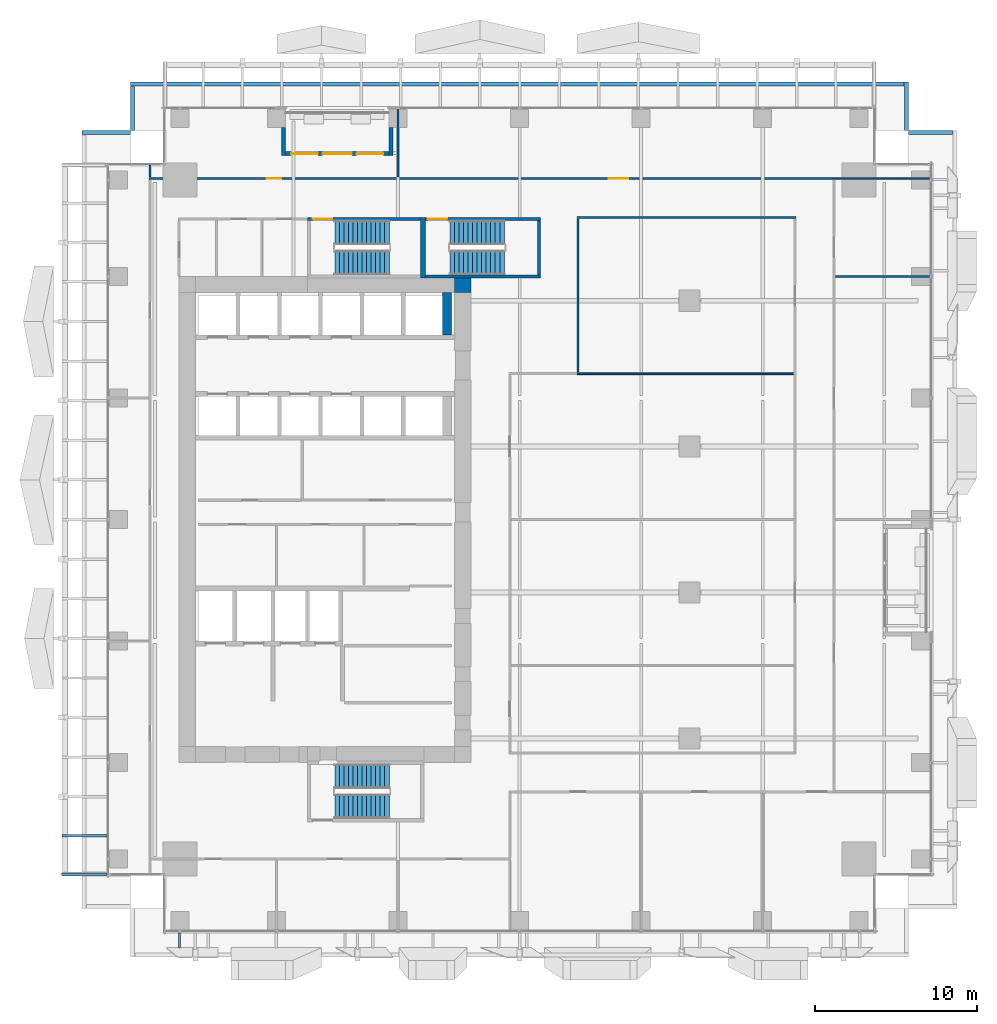
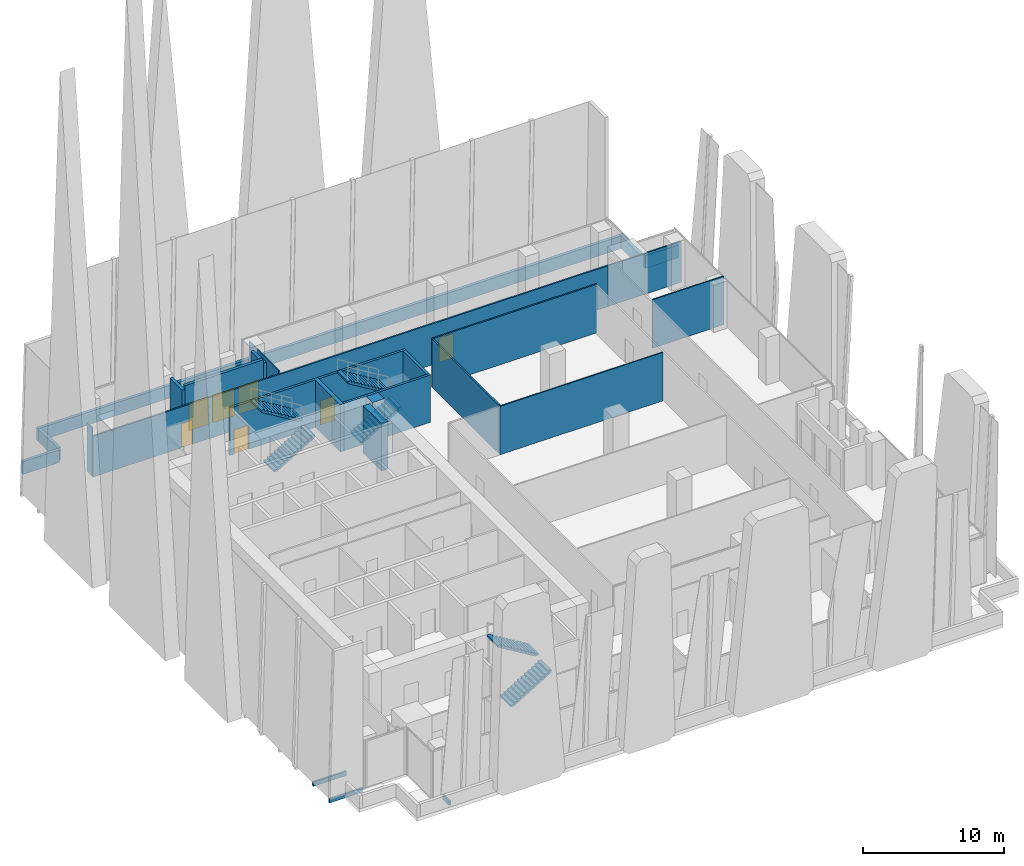
# One storey, part 31 of 37: 23 walls, 6 stair flights, 5 doors, 3 discrete accessories, 2 windows, 7 openings, 3 elements without a shape of their own.
"""IFC4 building model written with IfcOpenShell, lengths in metres."""

from ifc_helpers import new_model, si_unit, direction, frame, frame_2d, origin, origin_2d, place, context, subcontext, project, spatial, polyline, rectangle, outline, extrude, source, transform, mapped, material, layer, layer_set, type_object, element, fill, aggregate, save


model = new_model("IFC4")

# Units and contexts
model_context = context("Model", 3, precision=1e-05, world=origin(), true_north=direction((0.0, 1.0)))
body_context = subcontext(model_context, "Body", "Model", "MODEL_VIEW")
ifc_project = project(units=[si_unit("LENGTHUNIT", "METRE"), si_unit("AREAUNIT", "SQUARE_METRE"), si_unit("VOLUMEUNIT", "CUBIC_METRE"), si_unit("PLANEANGLEUNIT", "RADIAN"), si_unit("MASSUNIT", "GRAM", prefix="KILO")], contexts=[model_context])

# Site, building, storey
site_placement = place(None, origin())
site = spatial("IfcSite", under=ifc_project, at=site_placement, CompositionType="ELEMENT")
building_placement = place(site_placement, origin())
building = spatial("IfcBuilding", under=site, at=building_placement, Name="Khomas Fold Tower", CompositionType="ELEMENT")
storey_placement = place(building_placement, frame((0.0, 0.0, 101.5)))
storey = spatial("IfcBuildingStorey", under=building, at=storey_placement, Name="L21", CompositionType="ELEMENT", Elevation=101.5)

# Wall
ifc_material_1 = material(Name="Concrete C70/85", Category="concrete")
ifc_layer_1 = layer(ifc_material_1, 0.89990234375)
ifc_layer_set_1 = layer_set([ifc_layer_1], Name="Concrete C70/85")
wall_type_1 = type_object("IfcWallType", Name="Core corner wall 900", PredefinedType="SHEAR", material=ifc_layer_set_1)
shared_shape_1 = source(origin(), body_context, "Body", "SweptSolid", [
    extrude(rectangle(XDim=1.0, YDim=0.89990234375, at=frame_2d((0.5, 0.0))), origin(), (0.0, 0.0, 1.0), 4.10009765625),
])
wall_1_placement = place(storey_placement, frame((23.0, 41.449951171875, 0.0), z_axis=(0.0, 0.0, 1.0), x_axis=(1.0, 0.0, 0.0)))
element("IfcWall", 1, at=wall_1_placement, inside=storey, type_object=wall_type_1, Name="Core wall CW-L-NE-L21", PredefinedType="SHEAR", context=body_context, shape_type="MappedRepresentation", body=[
    mapped(shared_shape_1, transform((0.0, 0.0, 0.0))),
])

# Wall, opening, door
ifc_material_2 = material(Name="Concrete C50/60", Category="concrete")
ifc_layer_2 = layer(ifc_material_2, 0.199951171875)
ifc_layer_set_2 = layer_set([ifc_layer_2], Name="Concrete C50/60")
wall_type_2 = type_object("IfcWallType", Name="Stair wall 200", PredefinedType="SHEAR", material=ifc_layer_set_2)
shared_shape_2 = source(origin(), body_context, "Body", "SweptSolid", [
    extrude(rectangle(XDim=7.0, YDim=0.199951171875, at=frame_2d((3.5, 0.0))), origin(), (0.0, 0.0, 1.0), 4.10009765625),
])
wall_2_placement = place(storey_placement, frame((13.89990234375, 45.550048828125, 0.0), z_axis=(0.0, 0.0, 1.0), x_axis=(1.0, 0.0, 0.0)))
wall_2 = element("IfcWall", 2, at=wall_2_placement, inside=storey, type_object=wall_type_2, Name="Stair wall SW-ST1-N", PredefinedType="SHEAR", context=body_context, shape_type="MappedRepresentation", body=[
    mapped(shared_shape_2, transform((0.0, 0.0, 0.0))),
])
shared_shape_3 = source(origin(), body_context, "Body", "SweptSolid", [
    extrude(rectangle(XDim=1.199951171875, YDim=2.10009765625, at=frame_2d((0.60009765625, 1.050048828125))), frame((0.0, 0.10986328125, 0.0), z_axis=(0.0, -1.0, 0.0), x_axis=(1.0, 0.0, 0.0)), (0.0, 0.0, 1.0), 0.219970703125),
])
opening_1_placement = place(wall_2_placement, frame((0.35009765625, 0.0, 0.0)))
opening_1 = element("IfcOpeningElement", 3, at=opening_1_placement, cuts=wall_2, Name="Opening SD-ST1", PredefinedType="OPENING", context=body_context, shape_type="MappedRepresentation", body=[
    mapped(shared_shape_3, transform((0.0, 0.0, 0.0))),
])
ifc_material_3 = material(Name="Steel door leaf", Category="steel")
door_type_1 = type_object("IfcDoorType", Name="Stair door 1200x2100 left-hand", OperationType="SINGLE_SWING_LEFT", PredefinedType="DOOR", material=ifc_material_3)
shared_shape_4 = source(origin(), body_context, "Body", "SweptSolid", [
    extrude(rectangle(XDim=1.199951171875, YDim=2.10009765625, at=frame_2d((0.60009765625, 1.050048828125))), frame((0.0, 0.02490234375, 0.0), z_axis=(0.0, -1.0, 0.0), x_axis=(1.0, 0.0, 0.0)), (0.0, 0.0, 1.0), 0.050048828125),
])
door_1_placement = place(opening_1_placement, origin())
door_1 = element("IfcDoor", 4, at=door_1_placement, inside=storey, type_object=door_type_1, Name="Stair door", OperationType="SINGLE_SWING_LEFT", OverallHeight=2.10009765625, OverallWidth=1.199951171875, PredefinedType="DOOR", context=body_context, shape_type="MappedRepresentation", body=[
    mapped(shared_shape_4, transform((0.0, 0.0, 0.0))),
])
fill(opening_1, door_1)

shared_shape_5 = source(origin(), body_context, "Body", "SweptSolid", [
    extrude(rectangle(XDim=7.10009765625, YDim=0.199951171875, at=frame_2d((3.550048828125, 0.0))), origin(), (0.0, 0.0, 1.0), 4.10009765625),
])
wall_3_placement = place(storey_placement, frame((21.199951171875, 45.550048828125, 0.0), z_axis=(0.0, 0.0, 1.0), x_axis=(1.0, 0.0, 0.0)))
wall_3 = element("IfcWall", 5, at=wall_3_placement, inside=storey, type_object=wall_type_2, Name="Stair wall SW-ST3-N", PredefinedType="SHEAR", context=body_context, shape_type="MappedRepresentation", body=[
    mapped(shared_shape_5, transform((0.0, 0.0, 0.0))),
])
opening_2_placement = place(wall_3_placement, frame((0.14990234375, 0.0, 0.0)))
opening_2 = element("IfcOpeningElement", 6, at=opening_2_placement, cuts=wall_3, Name="Opening SD-ST3", PredefinedType="OPENING", context=body_context, shape_type="MappedRepresentation", body=[
    mapped(shared_shape_3, transform((0.0, 0.0, 0.0))),
])
door_2_placement = place(opening_2_placement, origin())
door_2 = element("IfcDoor", 7, at=door_2_placement, inside=storey, type_object=door_type_1, Name="Stair door", OperationType="SINGLE_SWING_LEFT", OverallHeight=2.10009765625, OverallWidth=1.199951171875, PredefinedType="DOOR", context=body_context, shape_type="MappedRepresentation", body=[
    mapped(shared_shape_4, transform((0.0, 0.0, 0.0))),
])
fill(opening_2, door_2)

# Walls
wall_4_placement = place(storey_placement, frame((21.199951171875, 42.0, 0.0), z_axis=(0.0, 0.0, 1.0), x_axis=(1.0, 0.0, 0.0)))
element("IfcWall", 8, at=wall_4_placement, inside=storey, type_object=wall_type_2, Name="Stair wall SW-ST3-S", PredefinedType="SHEAR", context=body_context, shape_type="MappedRepresentation", body=[
    mapped(shared_shape_5, transform((0.0, 0.0, 0.0))),
])
ifc_material_4 = material(Name="Concrete C50/60", Category="concrete")
ifc_layer_3 = layer(ifc_material_4, 0.300048828125)
ifc_layer_set_3 = layer_set([ifc_layer_3], Name="Concrete C50/60")
wall_type_3 = type_object("IfcWallType", Name="Stair wall 300", PredefinedType="SHEAR", material=ifc_layer_set_3)
shared_shape_6 = source(origin(), body_context, "Body", "SweptSolid", [
    extrude(rectangle(XDim=3.75, YDim=0.300048828125, at=frame_2d((1.875, 0.0))), origin(), (0.0, 0.0, 1.0), 4.10009765625),
])
wall_5_placement = place(storey_placement, frame((21.050048828125, 41.89990234375, 0.0), z_axis=(0.0, 0.0, 1.0), x_axis=(0.0, 1.0, 0.0)))
element("IfcWall", 9, at=wall_5_placement, inside=storey, type_object=wall_type_3, Name="Stair wall SW-ST1-E", PredefinedType="SHEAR", context=body_context, shape_type="MappedRepresentation", body=[
    mapped(shared_shape_6, transform((0.0, 0.0, 0.0))),
])
shared_shape_7 = source(origin(), body_context, "Body", "SweptSolid", [
    extrude(rectangle(XDim=3.349853515625, YDim=0.199951171875, at=frame_2d((1.6748046875, 0.0))), origin(), (0.0, 0.0, 1.0), 4.10009765625),
])
wall_6_placement = place(storey_placement, frame((28.199951171875, 42.10009765625, 0.0), z_axis=(0.0, 0.0, 1.0), x_axis=(0.0, 1.0, 0.0)))
element("IfcWall", 10, at=wall_6_placement, inside=storey, type_object=wall_type_2, Name="Stair wall SW-ST3-E", PredefinedType="SHEAR", context=body_context, shape_type="MappedRepresentation", body=[
    mapped(shared_shape_7, transform((0.0, 0.0, 0.0))),
])
ifc_material_5 = material(Name="Concrete C50/60", Category="concrete")
ifc_layer_4 = layer(ifc_material_5, 0.550048828125)
ifc_layer_set_4 = layer_set([ifc_layer_4], Name="Concrete C50/60")
wall_type_4 = type_object("IfcWallType", Name="Shaft wall 550", PredefinedType="STANDARD", material=ifc_layer_set_4)
shared_shape_8 = source(origin(), body_context, "Body", "SweptSolid", [
    extrude(rectangle(XDim=2.60009765625, YDim=0.550048828125, at=frame_2d((1.300048828125, 0.0))), origin(), (0.0, 0.0, 1.0), 4.10009765625),
])
wall_7_placement = place(storey_placement, frame((22.52490234375, 38.39990234375, 0.0), z_axis=(0.0, 0.0, 1.0), x_axis=(0.0, 1.0, 0.0)))
element("IfcWall", 11, at=wall_7_placement, inside=storey, type_object=wall_type_4, Name="Core wall SW-LRN-PE", PredefinedType="STANDARD", context=body_context, shape_type="MappedRepresentation", body=[
    mapped(shared_shape_8, transform((0.0, 0.0, 0.0))),
])

# Wall, openings, door, windows
ifc_material_6 = material(Name="Natural stone", Category="masonry")
ifc_layer_5 = layer(ifc_material_6, 0.0400390625)
ifc_material_7 = material(Name="Mineral wool insulation", Category="insulation")
ifc_layer_6 = layer(ifc_material_7, 0.10009765625)
ifc_material_8 = material(Name="Masonry", Category="masonry")
ifc_layer_7 = layer(ifc_material_8, 0.110107421875)
ifc_layer_set_5 = layer_set([ifc_layer_5, ifc_layer_6, ifc_layer_7], Name="Stone-faced insulated masonry")
wall_type_5 = type_object("IfcWallType", Name="BL-Balcony wall", PredefinedType="SOLIDWALL", material=ifc_layer_set_5)
shared_shape_9 = source(origin(), body_context, "Body", "SweptSolid", [
    extrude(rectangle(XDim=6.39990234375, YDim=0.25, at=frame_2d((3.199951171875, 0.0))), origin(), (0.0, 0.0, 1.0), 4.10009765625),
])
wall_8_placement = place(storey_placement, frame((12.550048828125, 49.574951171875, 0.0), z_axis=(0.0, 0.0, 1.0), x_axis=(1.0, 0.0, 0.0)))
wall_8 = element("IfcWall", 12, at=wall_8_placement, inside=storey, type_object=wall_type_5, Name="Balcony wall BAL-L21-N1", PredefinedType="SOLIDWALL", context=body_context, shape_type="MappedRepresentation", body=[
    mapped(shared_shape_9, transform((0.0, 0.0, 0.0))),
])
shared_shape_10 = source(origin(), body_context, "Body", "SweptSolid", [
    extrude(rectangle(XDim=1.64990234375, YDim=2.39990234375, at=frame_2d((0.824951171875, 1.199951171875))), frame((0.0, 0.135009765625, 0.0), z_axis=(0.0, -1.0, 0.0), x_axis=(1.0, 0.0, 0.0)), (0.0, 0.0, 1.0), 0.27001953125),
])
opening_3_placement = place(wall_8_placement, frame((0.35009765625, 0.0, 0.0)))
opening_3 = element("IfcOpeningElement", 13, at=opening_3_placement, cuts=wall_8, Name="Opening BL-W2", PredefinedType="OPENING", context=body_context, shape_type="MappedRepresentation", body=[
    mapped(shared_shape_10, transform((0.0, 0.0, 0.0))),
])
opening_4_placement = place(wall_8_placement, frame((4.39990234375, 0.0, 0.0)))
opening_4 = element("IfcOpeningElement", 14, at=opening_4_placement, cuts=wall_8, Name="Opening BL-W2", PredefinedType="OPENING", context=body_context, shape_type="MappedRepresentation", body=[
    mapped(shared_shape_10, transform((0.0, 0.0, 0.0))),
])
shared_shape_11 = source(origin(), body_context, "Body", "SweptSolid", [
    extrude(rectangle(XDim=1.800048828125, YDim=2.39990234375, at=frame_2d((0.89990234375, 1.199951171875))), frame((0.0, 0.135009765625, 0.0), z_axis=(0.0, -1.0, 0.0), x_axis=(1.0, 0.0, 0.0)), (0.0, 0.0, 1.0), 0.27001953125),
])
opening_5_placement = place(wall_8_placement, frame((2.300048828125, 0.0, 0.0)))
opening_5 = element("IfcOpeningElement", 15, at=opening_5_placement, cuts=wall_8, Name="Opening BD211", PredefinedType="OPENING", context=body_context, shape_type="MappedRepresentation", body=[
    mapped(shared_shape_11, transform((0.0, 0.0, 0.0))),
])
ifc_material_9 = material(Name="Aluminium framed double glazing", Category="aluminium")
door_type_2 = type_object("IfcDoorType", Name="BL-Glazed balcony door 1800 x 2400", OperationType="DOUBLE_DOOR_DOUBLE_SWING", PredefinedType="DOOR", material=ifc_material_9)
shared_shape_12 = source(origin(), body_context, "Body", "SweptSolid", [
    extrude(rectangle(XDim=1.800048828125, YDim=2.39990234375, at=frame_2d((0.89990234375, 1.199951171875))), frame((0.0, 0.02490234375, 0.0), z_axis=(0.0, -1.0, 0.0), x_axis=(1.0, 0.0, 0.0)), (0.0, 0.0, 1.0), 0.050048828125),
])
door_3_placement = place(opening_5_placement, origin())
door_3 = element("IfcDoor", 16, at=door_3_placement, inside=storey, type_object=door_type_2, Name="Balcony door BD211", OperationType="DOUBLE_DOOR_DOUBLE_SWING", OverallHeight=2.39990234375, OverallWidth=1.800048828125, PredefinedType="DOOR", context=body_context, shape_type="MappedRepresentation", body=[
    mapped(shared_shape_12, transform((0.0, 0.0, 0.0))),
])
fill(opening_5, door_3)
ifc_material_10 = material(Name="Aluminium framed double glazing", Category="aluminium")
window_type = type_object("IfcWindowType", Name="BL-Fixed glazing 1650 x 2400", PartitioningType="SINGLE_PANEL", PredefinedType="WINDOW", material=ifc_material_10)
shared_shape_13 = source(origin(), body_context, "Body", "SweptSolid", [
    extrude(rectangle(XDim=1.64990234375, YDim=2.39990234375, at=frame_2d((0.824951171875, 1.199951171875))), frame((0.0, 0.030029296875, 0.0), z_axis=(0.0, -1.0, 0.0), x_axis=(1.0, 0.0, 0.0)), (0.0, 0.0, 1.0), 0.06005859375),
])
window_1_placement = place(opening_3_placement, origin())
window_1 = element("IfcWindow", 17, at=window_1_placement, inside=storey, type_object=window_type, Name="Balcony glazing BAL-L21-N1-1", OverallHeight=2.39990234375, OverallWidth=1.64990234375, PartitioningType="SINGLE_PANEL", PredefinedType="WINDOW", context=body_context, shape_type="MappedRepresentation", body=[
    mapped(shared_shape_13, transform((0.0, 0.0, 0.0))),
])
fill(opening_3, window_1)
window_2_placement = place(opening_4_placement, origin())
window_2 = element("IfcWindow", 18, at=window_2_placement, inside=storey, type_object=window_type, Name="Balcony glazing BAL-L21-N1-2", OverallHeight=2.39990234375, OverallWidth=1.64990234375, PartitioningType="SINGLE_PANEL", PredefinedType="WINDOW", context=body_context, shape_type="MappedRepresentation", body=[
    mapped(shared_shape_13, transform((0.0, 0.0, 0.0))),
])
fill(opening_4, window_2)

# Walls
shared_shape_14 = source(origin(), body_context, "Body", "SweptSolid", [
    extrude(rectangle(XDim=1.75, YDim=0.25, at=frame_2d((0.875, 0.0))), origin(), (0.0, 0.0, 1.0), 3.800048828125),
])
for number, where, z_axis, x_axis, name in (
    (19, (12.425048828125, 51.199951171875, 0.0), (0.0, 0.0, 1.0), (0.0, -1.0, 0.0), "Balcony return wall BAL-L21-N1-lo"),
    (20, (19.074951171875, 51.199951171875, 0.0), (0.0, 0.0, 1.0), (0.0, -1.0, 0.0), "Balcony return wall BAL-L21-N1-hi"),
):
    element("IfcWall", number, at=place(storey_placement, frame(where, z_axis=z_axis, x_axis=x_axis)), inside=storey, type_object=wall_type_5, Name=name, PredefinedType="SOLIDWALL", context=body_context, shape_type="MappedRepresentation", body=[
        mapped(shared_shape_14, transform((0.0, 0.0, 0.0))),
    ])
ifc_material_11 = material(Name="Concrete C40/50", Category="concrete")
ifc_layer_8 = layer(ifc_material_11, 0.25)
ifc_layer_set_6 = layer_set([ifc_layer_8], Name="Concrete C40/50")
wall_type_6 = type_object("IfcWallType", Name="Setback roof parapet 250", PredefinedType="PARAPET", material=ifc_layer_set_6)
shared_shape_15 = source(origin(), body_context, "Body", "SweptSolid", [
    extrude(rectangle(XDim=3.0, YDim=0.25, at=frame_2d((1.5, 0.0))), origin(), (0.0, 0.0, 1.0), 1.10009765625),
])
for number, where, z_axis, x_axis, name in (
    (21, (50.875, 51.0, 0.0), (0.0, 0.0, 1.0), (0.0, 1.0, 0.0), "Setback roof parapet"),
    (22, (3.0, 50.875, 0.0), (0.0, 0.0, 1.0), (-1.0, 0.0, 0.0), "Setback roof parapet"),
):
    element("IfcWall", number, at=place(storey_placement, frame(where, z_axis=z_axis, x_axis=x_axis)), inside=storey, type_object=wall_type_6, Name=name, PredefinedType="SOLIDWALL", context=body_context, shape_type="MappedRepresentation", body=[
        mapped(shared_shape_15, transform((0.0, 0.0, 0.0))),
    ])
shared_shape_16 = source(origin(), body_context, "Body", "SweptSolid", [
    extrude(rectangle(XDim=47.72998046875, YDim=0.25, at=frame_2d((23.864990234375, 0.0))), origin(), (0.0, 0.0, 1.0), 1.10009765625),
])
wall_9_placement = place(storey_placement, frame((50.72998046875, 53.875, 0.0), z_axis=(0.0, 0.0, 1.0), x_axis=(-1.0, 0.0, 0.0)))
element("IfcWall", 23, at=wall_9_placement, inside=storey, type_object=wall_type_6, Name="Setback roof parapet", PredefinedType="SOLIDWALL", context=body_context, shape_type="MappedRepresentation", body=[
    mapped(shared_shape_16, transform((0.0, 0.0, 0.0))),
])
shared_shape_17 = source(origin(), body_context, "Body", "SweptSolid", [
    extrude(rectangle(XDim=2.72998046875, YDim=0.25, at=frame_2d((1.364990234375, 0.0))), origin(), (0.0, 0.0, 1.0), 1.10009765625),
])
for number, where, z_axis, x_axis, name in (
    (24, (53.72998046875, 50.875, 0.0), (0.0, 0.0, 1.0), (-1.0, 0.0, 0.0), "Setback roof parapet"),
    (25, (3.125, 53.72998046875, 0.0), (0.0, 0.0, 1.0), (0.0, -1.0, 0.0), "Setback roof parapet"),
):
    element("IfcWall", number, at=place(storey_placement, frame(where, z_axis=z_axis, x_axis=x_axis)), inside=storey, type_object=wall_type_6, Name=name, PredefinedType="SOLIDWALL", context=body_context, shape_type="MappedRepresentation", body=[
        mapped(shared_shape_17, transform((0.0, 0.0, 0.0))),
    ])
ifc_material_12 = material(Name="Plasterboard partition")
ifc_layer_9 = layer(ifc_material_12, 0.10009765625)
ifc_layer_set_7 = layer_set([ifc_layer_9], Name="Plasterboard partition")
wall_type_7 = type_object("IfcWallType", Name="Partition PW1 100", PredefinedType="PARTITIONING", material=ifc_layer_set_7)
shared_shape_18 = source(origin(), body_context, "Body", "SweptSolid", [
    extrude(rectangle(XDim=5.85009765625, YDim=0.10009765625, at=frame_2d((2.925048828125, 0.0))), origin(), (0.0, 0.0, 1.0), 4.199951171875),
])
wall_10_placement = place(storey_placement, frame((46.5, 42.0, 0.0), z_axis=(0.0, 0.0, 1.0), x_axis=(1.0, 0.0, 0.0)))
element("IfcWall", 26, at=wall_10_placement, inside=storey, type_object=wall_type_7, Name="Partition", PredefinedType="PARTITIONING", context=body_context, shape_type="MappedRepresentation", body=[
    mapped(shared_shape_18, transform((0.0, 0.0, 0.0))),
])
shared_shape_19 = source(origin(), body_context, "Body", "SweptSolid", [
    extrude(rectangle(XDim=13.349853515625, YDim=0.10009765625, at=frame_2d((6.6748046875, 0.0))), origin(), (0.0, 0.0, 1.0), 4.199951171875),
])
wall_11_placement = place(storey_placement, frame((30.550048828125, 36.0, 0.0), z_axis=(0.0, 0.0, 1.0), x_axis=(1.0, 0.0, 0.0)))
element("IfcWall", 27, at=wall_11_placement, inside=storey, type_object=wall_type_7, Name="Partition", PredefinedType="PARTITIONING", context=body_context, shape_type="MappedRepresentation", body=[
    mapped(shared_shape_19, transform((0.0, 0.0, 0.0))),
])
ifc_material_13 = material(Name="Plasterboard partition")
ifc_layer_10 = layer(ifc_material_13, 0.125)
ifc_layer_set_8 = layer_set([ifc_layer_10], Name="Plasterboard partition")
wall_type_8 = type_object("IfcWallType", Name="Partition PW2 125", PredefinedType="PARTITIONING", material=ifc_layer_set_8)
shared_shape_20 = source(origin(), body_context, "Body", "SweptSolid", [
    extrude(rectangle(XDim=9.449951171875, YDim=0.125, at=frame_2d((4.72509765625, 0.0))), origin(), (0.0, 0.0, 1.0), 4.199951171875),
])
wall_12_placement = place(storey_placement, frame((30.60009765625, 36.10009765625, 0.0), z_axis=(0.0, 0.0, 1.0), x_axis=(0.0, 1.0, 0.0)))
element("IfcWall", 28, at=wall_12_placement, inside=storey, type_object=wall_type_8, Name="Partition", PredefinedType="PARTITIONING", context=body_context, shape_type="MappedRepresentation", body=[
    mapped(shared_shape_20, transform((0.0, 0.0, 0.0))),
])
shared_shape_21 = source(origin(), body_context, "Body", "SweptSolid", [
    extrude(rectangle(XDim=13.5, YDim=0.125, at=frame_2d((6.75, 0.0))), origin(), (0.0, 0.0, 1.0), 4.199951171875),
])
wall_13_placement = place(storey_placement, frame((30.550048828125, 45.64990234375, 0.0), z_axis=(0.0, 0.0, 1.0), x_axis=(1.0, 0.0, 0.0)))
element("IfcWall", 29, at=wall_13_placement, inside=storey, type_object=wall_type_8, Name="Partition", PredefinedType="PARTITIONING", context=body_context, shape_type="MappedRepresentation", body=[
    mapped(shared_shape_21, transform((0.0, 0.0, 0.0))),
])

# Wall, openings, doors
shared_shape_22 = source(origin(), body_context, "Body", "SweptSolid", [
    extrude(rectangle(XDim=42.2001953125, YDim=0.125, at=frame_2d((21.10009765625, 0.0))), origin(), (0.0, 0.0, 1.0), 3.550048828125),
])
wall_14_placement = place(storey_placement, frame((4.14990234375, 48.050048828125, 0.0), z_axis=(0.0, 0.0, 1.0), x_axis=(1.0, 0.0, 0.0)))
wall_14 = element("IfcWall", 30, at=wall_14_placement, inside=storey, type_object=wall_type_8, Name="Partition", PredefinedType="PARTITIONING", context=body_context, shape_type="MappedRepresentation", body=[
    mapped(shared_shape_22, transform((0.0, 0.0, 0.0))),
])
shared_shape_23 = source(origin(), body_context, "Body", "SweptSolid", [
    extrude(rectangle(XDim=0.89990234375, YDim=2.10009765625, at=frame_2d((0.449951171875, 1.050048828125))), frame((0.0, 0.072509765625, 0.0), z_axis=(0.0, -1.0, 0.0), x_axis=(1.0, 0.0, 0.0)), (0.0, 0.0, 1.0), 0.14501953125),
])
opening_6_placement = place(wall_14_placement, frame((7.25, 0.0, 0.0)))
opening_6 = element("IfcOpeningElement", 31, at=opening_6_placement, cuts=wall_14, Name="Opening 0007", PredefinedType="OPENING", context=body_context, shape_type="MappedRepresentation", body=[
    mapped(shared_shape_23, transform((0.0, 0.0, 0.0))),
])
shared_shape_24 = source(origin(), body_context, "Body", "SweptSolid", [
    extrude(rectangle(XDim=1.199951171875, YDim=2.10009765625, at=frame_2d((0.60009765625, 1.050048828125))), frame((0.0, 0.072509765625, 0.0), z_axis=(0.0, -1.0, 0.0), x_axis=(1.0, 0.0, 0.0)), (0.0, 0.0, 1.0), 0.14501953125),
])
opening_7_placement = place(wall_14_placement, frame((28.35009765625, 0.0, 0.0)))
opening_7 = element("IfcOpeningElement", 32, at=opening_7_placement, cuts=wall_14, Name="Opening 0013", PredefinedType="OPENING", context=body_context, shape_type="MappedRepresentation", body=[
    mapped(shared_shape_24, transform((0.0, 0.0, 0.0))),
])
ifc_material_14 = material(Name="Timber door leaf", Category="wood")
door_type_3 = type_object("IfcDoorType", Name="Door 900x2100 left-hand", OperationType="SINGLE_SWING_LEFT", PredefinedType="DOOR", material=ifc_material_14)
shared_shape_25 = source(origin(), body_context, "Body", "SweptSolid", [
    extrude(rectangle(XDim=0.89990234375, YDim=2.10009765625, at=frame_2d((0.449951171875, 1.050048828125))), frame((0.0, 0.02490234375, 0.0), z_axis=(0.0, -1.0, 0.0), x_axis=(1.0, 0.0, 0.0)), (0.0, 0.0, 1.0), 0.050048828125),
])
door_4_placement = place(opening_6_placement, origin())
door_4 = element("IfcDoor", 33, at=door_4_placement, inside=storey, type_object=door_type_3, Name="Door", OperationType="SINGLE_SWING_LEFT", OverallHeight=2.10009765625, OverallWidth=0.89990234375, PredefinedType="DOOR", context=body_context, shape_type="MappedRepresentation", body=[
    mapped(shared_shape_25, transform((0.0, 0.0, 0.0))),
])
fill(opening_6, door_4)
ifc_material_15 = material(Name="Timber door leaf", Category="wood")
door_type_4 = type_object("IfcDoorType", Name="Door 1200x2100 left-hand", OperationType="SINGLE_SWING_LEFT", PredefinedType="DOOR", material=ifc_material_15)
door_5_placement = place(opening_7_placement, origin())
door_5 = element("IfcDoor", 34, at=door_5_placement, inside=storey, type_object=door_type_4, Name="Door", OperationType="SINGLE_SWING_LEFT", OverallHeight=2.10009765625, OverallWidth=1.199951171875, PredefinedType="DOOR", context=body_context, shape_type="MappedRepresentation", body=[
    mapped(shared_shape_4, transform((0.0, 0.0, 0.0))),
])
fill(opening_7, door_5)

# Walls
shared_shape_26 = source(origin(), body_context, "Body", "SweptSolid", [
    extrude(rectangle(XDim=6.0, YDim=0.10009765625, at=frame_2d((3.0, 0.0))), origin(), (0.0, 0.0, 1.0), 3.550048828125),
])
wall_15_placement = place(storey_placement, frame((46.35009765625, 48.050048828125, 0.0), z_axis=(0.0, 0.0, 1.0), x_axis=(1.0, 0.0, 0.0)))
element("IfcWall", 35, at=wall_15_placement, inside=storey, type_object=wall_type_7, Name="Partition", PredefinedType="PARTITIONING", context=body_context, shape_type="MappedRepresentation", body=[
    mapped(shared_shape_26, transform((0.0, 0.0, 0.0))),
])
shared_shape_27 = source(origin(), body_context, "Body", "SweptSolid", [
    extrude(rectangle(XDim=0.7001953125, YDim=0.10009765625, at=frame_2d((0.35009765625, 0.0))), origin(), (0.0, 0.0, 1.0), 4.199951171875),
])
wall_16_placement = place(storey_placement, frame((4.199951171875, 48.14990234375, 0.0), z_axis=(0.0, 0.0, 1.0), x_axis=(0.0, 1.0, 0.0)))
element("IfcWall", 36, at=wall_16_placement, inside=storey, type_object=wall_type_7, Name="Partition", PredefinedType="PARTITIONING", context=body_context, shape_type="MappedRepresentation", body=[
    mapped(shared_shape_27, transform((0.0, 0.0, 0.0))),
])
shared_shape_28 = source(origin(), body_context, "Body", "SweptSolid", [
    extrude(rectangle(XDim=4.2001953125, YDim=0.10009765625, at=frame_2d((2.10009765625, 0.0))), origin(), (0.0, 0.0, 1.0), 3.77001953125),
])
wall_17_placement = place(storey_placement, frame((19.5, 48.14990234375, 0.0), z_axis=(0.0, 0.0, 1.0), x_axis=(0.0, 1.0, 0.0)))
element("IfcWall", 37, at=wall_17_placement, inside=storey, type_object=wall_type_7, Name="Partition", PredefinedType="PARTITIONING", context=body_context, shape_type="MappedRepresentation", body=[
    mapped(shared_shape_28, transform((0.0, 0.0, 0.0))),
])

# Stair, stair flights
ifc_material_16 = material(Name="Concrete C40/50", Category="concrete")
stair_type_1 = type_object("IfcStairType", Name="Stair ST1", PredefinedType="HALF_TURN_STAIR", material=ifc_material_16)
stair_1_placement = place(storey_placement, origin())
stair_1 = element("IfcStair", 38, at=stair_1_placement, inside=storey, type_object=stair_type_1, Name="L21 ST1", PredefinedType="HALF_TURN_STAIR")
ifc_material_17 = material(Name="Concrete C40/50", Category="concrete")
stair_flight_type_1 = type_object("IfcStairFlightType", Name="Stair flight 1500 ST1", PredefinedType="STRAIGHT", material=ifc_material_17)
shared_shape_29 = source(origin(), body_context, "Body", "SweptSolid", [
    extrude(outline(polyline([(0.0, 0.0), (0.0, 0.012939453125), (0.0, 0.026123046875), (0.0, 0.0390625), (0.0, 0.052001953125), (0.0, 0.065185546875), (0.0, 0.078125), (0.0, 0.091064453125), (0.0, 0.104248046875), (0.0, 0.1171875), (0.0, 0.130126953125), (0.0, 0.143310546875), (0.0, 0.15625), (0.0, 0.169189453125), (0.280029296875, 0.169189453125), (0.280029296875, 0.33837890625), (0.56005859375, 0.33837890625), (0.56005859375, 0.5078125), (0.840087890625, 0.5078125), (0.840087890625, 0.677001953125), (1.1201171875, 0.677001953125), (1.1201171875, 0.84619140625), (1.39990234375, 0.84619140625), (1.39990234375, 1.015380859375), (1.679931640625, 1.015380859375), (1.679931640625, 1.1845703125), (1.9599609375, 1.1845703125), (1.9599609375, 1.353759765625), (2.239990234375, 1.353759765625), (2.239990234375, 1.523193359375), (2.52001953125, 1.523193359375), (2.52001953125, 1.6923828125), (2.800048828125, 1.6923828125), (2.800048828125, 1.861572265625), (3.080078125, 1.861572265625), (3.080078125, 2.03076171875), (3.360107421875, 2.03076171875), (3.360107421875, 2.199951171875), (3.360107421875, 2.173583984375), (3.360107421875, 2.14697265625), (3.360107421875, 2.12060546875), (3.360107421875, 2.093994140625), (3.360107421875, 2.067626953125), (3.360107421875, 2.041015625), (3.360107421875, 2.0146484375), (3.360107421875, 1.988037109375), (3.360107421875, 1.961669921875), (3.360107421875, 1.93505859375), (3.360107421875, 1.90869140625), (3.360107421875, 1.882080078125), (3.360107421875, 1.855712890625), (0.289794921875, 0.0), (0.0, 0.0)])), frame((0.0, 0.75, 0.0), z_axis=(0.0, -1.0, 0.0), x_axis=(1.0, 0.0, 0.0)), (0.0, 0.0, 1.0), 1.5),
])
stair_flight_1_placement = place(storey_placement, frame((15.60009765625, 42.85009765625, 0.0), z_axis=(0.0, 0.0, 1.0), x_axis=(1.0, 0.0, 0.0)))
stair_flight_1 = element("IfcStairFlight", 39, at=stair_flight_1_placement, type_object=stair_flight_type_1, Name="ST1 flight 1", NumberOfRisers=13, NumberOfTreads=12, PredefinedType="STRAIGHT", RiserHeight=0.169230769, TreadLength=0.28, context=body_context, shape_type="MappedRepresentation", body=[
    mapped(shared_shape_29, transform((0.0, 0.0, 0.0))),
])
stair_flight_2_placement = place(storey_placement, frame((18.9599609375, 44.699951171875, 2.199951171875), z_axis=(0.0, 0.0, 1.0), x_axis=(-1.0, 0.0, 0.0)))
stair_flight_2 = element("IfcStairFlight", 40, at=stair_flight_2_placement, type_object=stair_flight_type_1, Name="ST1 flight 2", NumberOfRisers=13, NumberOfTreads=12, PredefinedType="STRAIGHT", RiserHeight=0.169230769, TreadLength=0.28, context=body_context, shape_type="MappedRepresentation", body=[
    mapped(shared_shape_29, transform((0.0, 0.0, 0.0))),
])
aggregate(stair_1, [stair_flight_1, stair_flight_2])

ifc_material_18 = material(Name="Concrete C40/50", Category="concrete")
stair_type_2 = type_object("IfcStairType", Name="Stair ST2", PredefinedType="HALF_TURN_STAIR", material=ifc_material_18)
stair_2_placement = place(storey_placement, origin())
stair_2 = element("IfcStair", 41, at=stair_2_placement, inside=storey, type_object=stair_type_2, Name="L21 ST2", PredefinedType="HALF_TURN_STAIR")
ifc_material_19 = material(Name="Concrete C40/50", Category="concrete")
stair_flight_type_2 = type_object("IfcStairFlightType", Name="Stair flight 1500 ST2", PredefinedType="STRAIGHT", material=ifc_material_19)
stair_flight_3_placement = place(storey_placement, frame((15.60009765625, 9.300048828125, 0.0), z_axis=(0.0, 0.0, 1.0), x_axis=(1.0, 0.0, 0.0)))
stair_flight_3 = element("IfcStairFlight", 42, at=stair_flight_3_placement, type_object=stair_flight_type_2, Name="ST2 flight 1", NumberOfRisers=13, NumberOfTreads=12, PredefinedType="STRAIGHT", RiserHeight=0.169230769, TreadLength=0.28, context=body_context, shape_type="MappedRepresentation", body=[
    mapped(shared_shape_29, transform((0.0, 0.0, 0.0))),
])
stair_flight_4_placement = place(storey_placement, frame((18.9599609375, 11.14990234375, 2.199951171875), z_axis=(0.0, 0.0, 1.0), x_axis=(-1.0, 0.0, 0.0)))
stair_flight_4 = element("IfcStairFlight", 43, at=stair_flight_4_placement, type_object=stair_flight_type_2, Name="ST2 flight 2", NumberOfRisers=13, NumberOfTreads=12, PredefinedType="STRAIGHT", RiserHeight=0.169230769, TreadLength=0.28, context=body_context, shape_type="MappedRepresentation", body=[
    mapped(shared_shape_29, transform((0.0, 0.0, 0.0))),
])
aggregate(stair_2, [stair_flight_3, stair_flight_4])

ifc_material_20 = material(Name="Concrete C40/50", Category="concrete")
stair_type_3 = type_object("IfcStairType", Name="Stair ST3", PredefinedType="HALF_TURN_STAIR", material=ifc_material_20)
stair_3_placement = place(storey_placement, origin())
stair_3 = element("IfcStair", 44, at=stair_3_placement, inside=storey, type_object=stair_type_3, Name="L21 ST3", PredefinedType="HALF_TURN_STAIR")
ifc_material_21 = material(Name="Concrete C40/50", Category="concrete")
stair_flight_type_3 = type_object("IfcStairFlightType", Name="Stair flight 1500 ST3", PredefinedType="STRAIGHT", material=ifc_material_21)
stair_flight_5_placement = place(storey_placement, frame((22.699951171875, 42.85009765625, 0.0), z_axis=(0.0, 0.0, 1.0), x_axis=(1.0, 0.0, 0.0)))
stair_flight_5 = element("IfcStairFlight", 45, at=stair_flight_5_placement, type_object=stair_flight_type_3, Name="ST3 flight 1", NumberOfRisers=13, NumberOfTreads=12, PredefinedType="STRAIGHT", RiserHeight=0.169230769, TreadLength=0.28, context=body_context, shape_type="MappedRepresentation", body=[
    mapped(shared_shape_29, transform((0.0, 0.0, 0.0))),
])
stair_flight_6_placement = place(storey_placement, frame((26.06005859375, 44.699951171875, 2.199951171875), z_axis=(0.0, 0.0, 1.0), x_axis=(-1.0, 0.0, 0.0)))
stair_flight_6 = element("IfcStairFlight", 46, at=stair_flight_6_placement, type_object=stair_flight_type_3, Name="ST3 flight 2", NumberOfRisers=13, NumberOfTreads=12, PredefinedType="STRAIGHT", RiserHeight=0.169230769, TreadLength=0.28, context=body_context, shape_type="MappedRepresentation", body=[
    mapped(shared_shape_29, transform((0.0, 0.0, 0.0))),
])
aggregate(stair_3, [stair_flight_5, stair_flight_6])

# Discrete accessories
ifc_material_22 = material(Name="Stainless steel", Category="steel")
discrete_accessory_type = type_object("IfcDiscreteAccessoryType", Name="SK-Stainless steel stone bracket", PredefinedType="BRACKET", material=ifc_material_22)
shared_shape_30 = source(origin(), body_context, "Body", "SweptSolid", [
    extrude(rectangle(XDim=0.926513671875, YDim=0.14990234375, at=origin_2d()), origin(), (0.0, 0.0, 1.0), 0.360107421875),
])
discrete_accessory_1_placement = place(storey_placement, frame((6.01513671875, 1.036865234375, -0.30029296875), z_axis=(0.0, 0.0, 1.0), x_axis=(0.0, -1.0, 0.0)))
element("IfcDiscreteAccessory", 47, at=discrete_accessory_1_placement, inside=storey, type_object=discrete_accessory_type, Name="Stone bracket L21 SG098-1-1", PredefinedType="BRACKET", context=body_context, shape_type="MappedRepresentation", body=[
    mapped(shared_shape_30, transform((0.0, 0.0, 0.0))),
])
shared_shape_31 = source(origin(), body_context, "Body", "SweptSolid", [
    extrude(rectangle(XDim=2.72412109375, YDim=0.14990234375, at=origin_2d()), origin(), (0.0, 0.0, 1.0), 0.360107421875),
])
discrete_accessory_2_placement = place(storey_placement, frame((0.137939453125, 7.494384765625, -0.30029296875), z_axis=(0.0, 0.0, 1.0), x_axis=(-1.0, 0.0, 0.0)))
element("IfcDiscreteAccessory", 48, at=discrete_accessory_2_placement, inside=storey, type_object=discrete_accessory_type, Name="Stone bracket L21 PLWG01", PredefinedType="BRACKET", context=body_context, shape_type="MappedRepresentation", body=[
    mapped(shared_shape_31, transform((0.0, 0.0, 0.0))),
])
shared_shape_32 = source(origin(), body_context, "Body", "SweptSolid", [
    extrude(rectangle(XDim=2.76416015625, YDim=0.14990234375, at=origin_2d()), origin(), (0.0, 0.0, 1.0), 0.360107421875),
])
discrete_accessory_3_placement = place(storey_placement, frame((0.117919921875, 5.125, -0.30029296875), z_axis=(0.0, 0.0, 1.0), x_axis=(-1.0, 0.0, 0.0)))
element("IfcDiscreteAccessory", 49, at=discrete_accessory_3_placement, inside=storey, type_object=discrete_accessory_type, Name="Stone bracket L21 PLWR1", PredefinedType="BRACKET", context=body_context, shape_type="MappedRepresentation", body=[
    mapped(shared_shape_32, transform((0.0, 0.0, 0.0))),
])

save(model, "model.ifc")
